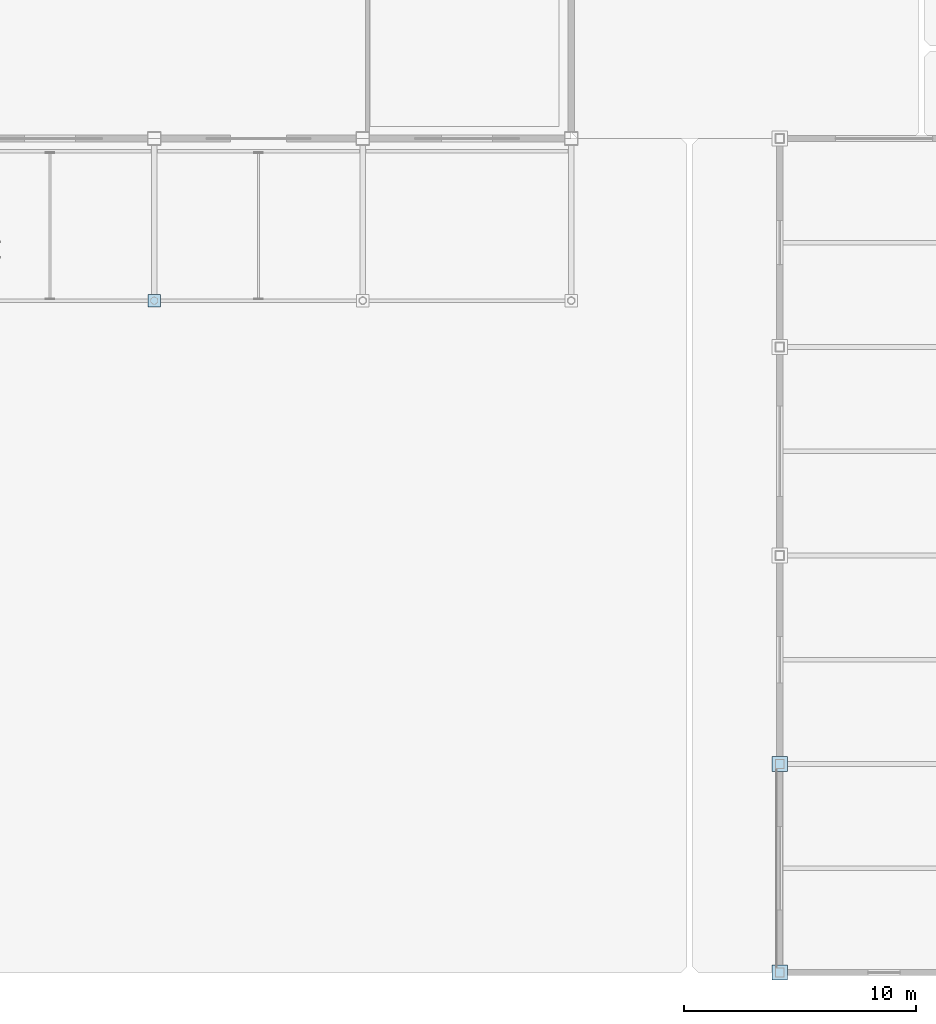
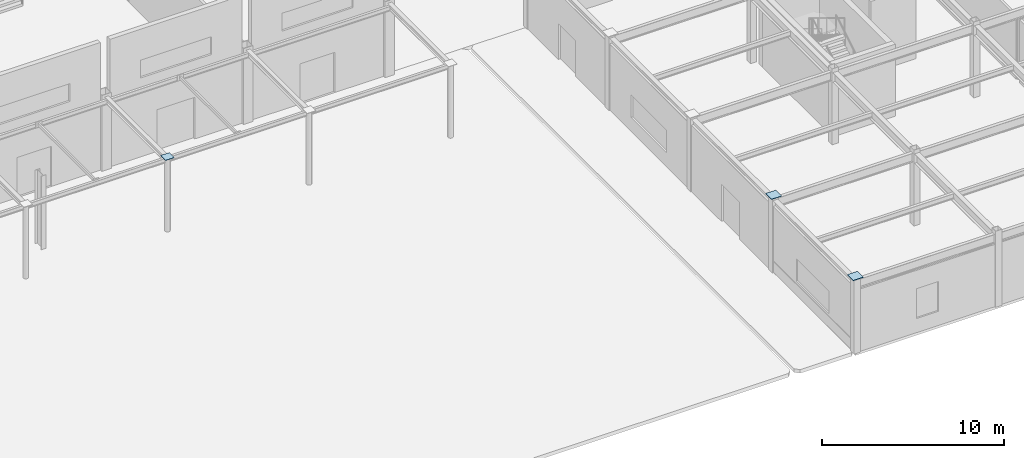
# One storey, part 75 of 123: 3 plates.
"""IFC4 building model written with IfcOpenShell, lengths in metres."""

from ifc_helpers import new_model, si_unit, direction, frame, origin, origin_2d, place, context, subcontext, project, spatial, rectangle, extrude, material, layer, layer_set, type_object, element, save


model = new_model("IFC4")

# Units and contexts
model_context = context("Model", 3, precision=1e-05, world=origin(), true_north=direction((0.0, 1.0)))
body_context = subcontext(model_context, "Body", "Model", "MODEL_VIEW")
ifc_project = project(units=[si_unit("LENGTHUNIT", "METRE"), si_unit("AREAUNIT", "SQUARE_METRE"), si_unit("VOLUMEUNIT", "CUBIC_METRE"), si_unit("PLANEANGLEUNIT", "RADIAN"), si_unit("MASSUNIT", "GRAM", prefix="KILO")], contexts=[model_context])

# Site, building, storey
site_placement = place(None, origin())
site = spatial("IfcSite", under=ifc_project, at=site_placement, CompositionType="ELEMENT")
building_placement = place(site_placement, origin())
building = spatial("IfcBuilding", under=site, at=building_placement, Name="Suzunagisa Mobility Hub", CompositionType="ELEMENT")
storey_placement = place(building_placement, origin())
storey = spatial("IfcBuildingStorey", under=building, at=storey_placement, Name="L00", CompositionType="ELEMENT", Elevation=0.0)

# Plates
ifc_material = material(Name="Steel SN490B", Category="steel")
ifc_layer_1 = layer(ifc_material, 0.02392578125)
ifc_layer_set_1 = layer_set([ifc_layer_1], Name="Steel SN490B")
plate_type_1 = type_object("IfcPlateType", Name="Structural Steel Plate SP-01 550x550x24", PredefinedType="USERDEFINED", material=ifc_layer_set_1)
plate_placement = place(storey_placement, frame((99.0, 29.0, 4.93994140625), z_axis=(0.0, 0.0, 1.0), x_axis=(1.0, 0.0, 0.0)))
element("IfcPlate", 1, at=plate_placement, inside=storey, type_object=plate_type_1, Name="L00 Column Cap Plate CP-191", ObjectType="BASE PLATE", PredefinedType="USERDEFINED", context=body_context, shape_type="SweptSolid", body=[
    extrude(rectangle(XDim=0.550048828125, YDim=0.550048828125, at=origin_2d()), origin(), (0.0, 0.0, 1.0), 0.02392578125),
])
ifc_layer_2 = layer(ifc_material, 0.031982421875)
ifc_layer_set_2 = layer_set([ifc_layer_2], Name="Steel SN490B")
plate_type_2 = type_object("IfcPlateType", Name="Structural Steel Plate SP-05 650x650x32", PredefinedType="USERDEFINED", material=ifc_layer_set_2)
for number, where, z_axis, x_axis, name in (
    (2, (126.0, 0.0, 5.0400390625), (0.0, 0.0, 1.0), (1.0, 0.0, 0.0), "L00 Column Cap Plate CP-228"),
    (3, (126.0, 9.0, 5.0400390625), (0.0, 0.0, 1.0), (1.0, 0.0, 0.0), "L00 Column Cap Plate CP-229"),
):
    element("IfcPlate", number, at=place(storey_placement, frame(where, z_axis=z_axis, x_axis=x_axis)), inside=storey, type_object=plate_type_2, Name=name, ObjectType="BASE PLATE", PredefinedType="USERDEFINED", context=body_context, shape_type="SweptSolid", body=[
        extrude(rectangle(XDim=0.64990234375, YDim=0.64990234375, at=origin_2d()), origin(), (0.0, 0.0, 1.0), 0.031982421875),
    ])

save(model, "model.ifc")
